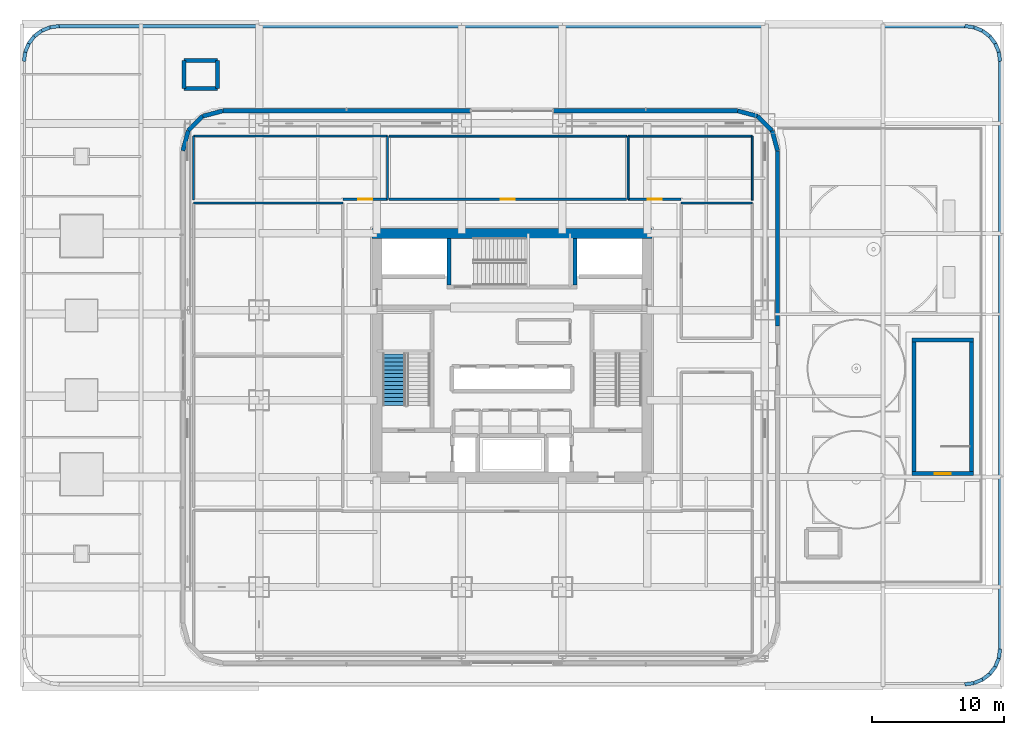
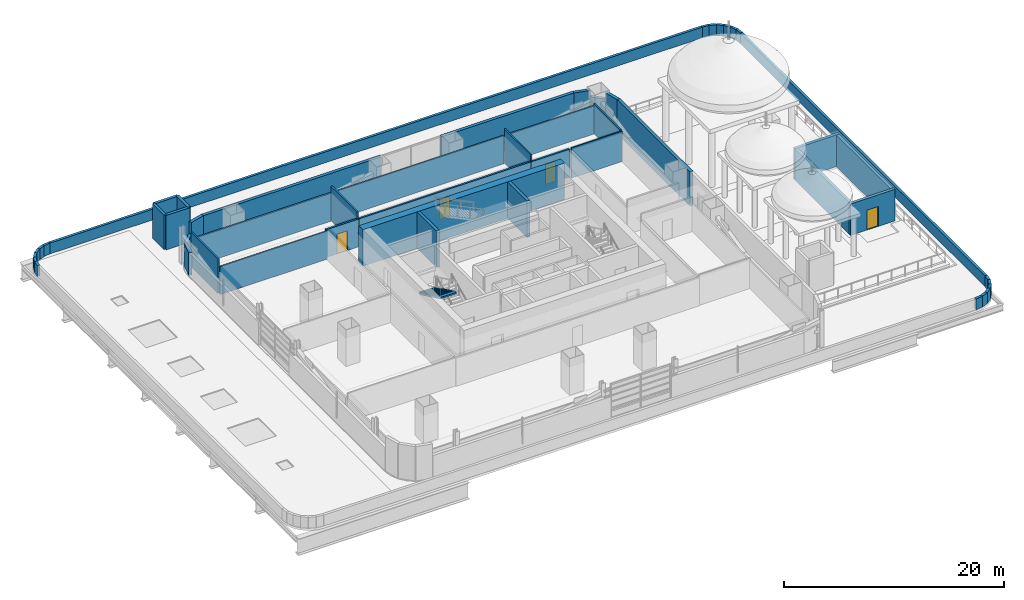
# One storey, part 16 of 30: 52 walls, 4 doors, 1 stair flight, 4 openings, 1 element without a shape of its own.
"""IFC4 building model written with IfcOpenShell, lengths in metres."""

from ifc_helpers import new_model, si_unit, direction, frame, frame_2d, origin, place, context, subcontext, project, spatial, polyline, rectangle, outline, extrude, material, layer, layer_set, type_object, element, fill, aggregate, save


model = new_model("IFC4")

# Units and contexts
model_context = context("Model", 3, precision=1e-05, world=origin(), true_north=direction((0.0, 1.0)))
body_context = subcontext(model_context, "Body", "Model", "MODEL_VIEW")
ifc_project = project(units=[si_unit("LENGTHUNIT", "METRE"), si_unit("AREAUNIT", "SQUARE_METRE"), si_unit("VOLUMEUNIT", "CUBIC_METRE"), si_unit("PLANEANGLEUNIT", "RADIAN"), si_unit("MASSUNIT", "GRAM", prefix="KILO")], contexts=[model_context])

# Site, building, storey
site_placement = place(None, origin())
site = spatial("IfcSite", under=ifc_project, at=site_placement, CompositionType="ELEMENT")
building_placement = place(site_placement, origin())
building = spatial("IfcBuilding", under=site, at=building_placement, Name="Punatoya Terracotta Tower", CompositionType="ELEMENT")
storey_placement = place(building_placement, frame((0.0, 0.0, 28.199951171875)))
storey = spatial("IfcBuildingStorey", under=building, at=storey_placement, Name="L05", CompositionType="ELEMENT", Elevation=28.199951171875)

# Wall
ifc_material_1 = material(Name="Concrete C60/75", Category="concrete")
ifc_layer_1 = layer(ifc_material_1, 0.75)
ifc_layer_set_1 = layer_set([ifc_layer_1], Name="Concrete C60/75")
wall_type_1 = type_object("IfcWallType", Name="WL-COR-750", PredefinedType="SHEAR", material=ifc_layer_set_1)
wall_1_placement = place(storey_placement, frame((-10.574951171875, 9.199951171875, 0.0), z_axis=(0.0, 0.0, 1.0), x_axis=(1.0, 0.0, 0.0)))
element("IfcWall", 1, at=wall_1_placement, inside=storey, type_object=wall_type_1, Name="L05 Core Shear Wall N", PredefinedType="SHEAR", context=body_context, shape_type="SweptSolid", body=[
    extrude(rectangle(XDim=21.14990234375, YDim=0.75, at=frame_2d((10.574951171875, 0.0))), origin(), (0.0, 0.0, 1.0), 4.050048828125),
])

# Wall, opening, door
ifc_material_2 = material(Name="Gypsum Fireboard + Steel Stud", Category="steel")
ifc_layer_2 = layer(ifc_material_2, 0.179931640625)
ifc_layer_set_2 = layer_set([ifc_layer_2], Name="Gypsum Fireboard + Steel Stud")
wall_type_2 = type_object("IfcWallType", Name="WL-CORR-180", PredefinedType="PARTITIONING", material=ifc_layer_set_2)
wall_2_placement = place(storey_placement, frame((-9.405029296875, 11.77001953125, 0.0), z_axis=(0.0, 0.0, 1.0), x_axis=(-1.0, 0.0, 0.0)))
wall_2 = element("IfcWall", 2, at=wall_2_placement, inside=storey, type_object=wall_type_2, Name="L05 Staff Tea Pantry Partition 35", PredefinedType="PARTITIONING", context=body_context, shape_type="SweptSolid", body=[
    extrude(rectangle(XDim=3.364990234375, YDim=0.179931640625, at=frame_2d((1.6826171875, 0.0))), origin(), (0.0, 0.0, 1.0), 3.10400390625),
])
opening_1_placement = place(wall_2_placement, frame((1.157470703125, 0.0, 0.0)))
opening_1 = element("IfcOpeningElement", 3, at=opening_1_placement, cuts=wall_2, Name="Opening OD-01", PredefinedType="OPENING", context=body_context, shape_type="SweptSolid", body=[
    extrude(rectangle(XDim=1.050048828125, YDim=2.199951171875, at=frame_2d((0.52490234375, 1.10009765625))), frame((0.0, 0.099853515625, 0.0), z_axis=(0.0, -1.0, 0.0), x_axis=(1.0, 0.0, 0.0)), (0.0, 0.0, 1.0), 0.199951171875),
])
ifc_material_3 = material(Name="Bengal Teak Solid-Core Leaf")
door_type_1 = type_object("IfcDoorType", Name="DR-OFF-1050", OperationType="NOTDEFINED", PredefinedType="DOOR", material=ifc_material_3)
door_1_placement = place(opening_1_placement, origin())
door_1 = element("IfcDoor", 4, at=door_1_placement, inside=storey, type_object=door_type_1, Name="L05 Staff Tea Pantry Door", OperationType="SINGLE_SWING_LEFT", OverallHeight=2.199951171875, OverallWidth=1.050048828125, PredefinedType="DOOR", context=body_context, shape_type="SweptSolid", body=[
    extrude(rectangle(XDim=1.050048828125, YDim=2.199951171875, at=frame_2d((0.52490234375, 1.10009765625))), frame((0.0, 0.02490234375, 0.0), z_axis=(0.0, -1.0, 0.0), x_axis=(1.0, 0.0, 0.0)), (0.0, 0.0, 1.0), 0.050048828125),
])
fill(opening_1, door_1)

wall_3_placement = place(storey_placement, frame((12.77001953125, 11.77001953125, 0.0), z_axis=(0.0, 0.0, 1.0), x_axis=(-1.0, 0.0, 0.0)))
wall_3 = element("IfcWall", 5, at=wall_3_placement, inside=storey, type_object=wall_type_2, Name="L05 Wellness Quiet Room Partition 38", PredefinedType="PARTITIONING", context=body_context, shape_type="SweptSolid", body=[
    extrude(rectangle(XDim=3.998046875, YDim=0.179931640625, at=frame_2d((1.9990234375, 0.0))), origin(), (0.0, 0.0, 1.0), 3.10400390625),
])
opening_2_placement = place(wall_3_placement, frame((1.47412109375, 0.0, 0.0)))
opening_2 = element("IfcOpeningElement", 6, at=opening_2_placement, cuts=wall_3, Name="Opening OD-01", PredefinedType="OPENING", context=body_context, shape_type="SweptSolid", body=[
    extrude(rectangle(XDim=1.050048828125, YDim=2.199951171875, at=frame_2d((0.52490234375, 1.10009765625))), frame((0.0, 0.099853515625, 0.0), z_axis=(0.0, -1.0, 0.0), x_axis=(1.0, 0.0, 0.0)), (0.0, 0.0, 1.0), 0.199951171875),
])
door_2_placement = place(opening_2_placement, origin())
door_2 = element("IfcDoor", 7, at=door_2_placement, inside=storey, type_object=door_type_1, Name="L05 Wellness Quiet Room Door", OperationType="SINGLE_SWING_RIGHT", OverallHeight=2.199951171875, OverallWidth=1.050048828125, PredefinedType="DOOR", context=body_context, shape_type="SweptSolid", body=[
    extrude(rectangle(XDim=1.050048828125, YDim=2.199951171875, at=frame_2d((0.52490234375, 1.10009765625))), frame((0.0, 0.02490234375, 0.0), z_axis=(0.0, -1.0, 0.0), x_axis=(1.0, 0.0, 0.0)), (0.0, 0.0, 1.0), 0.050048828125),
])
fill(opening_2, door_2)

wall_4_placement = place(storey_placement, frame((8.652099609375, 11.77001953125, 0.0), z_axis=(0.0, 0.0, 1.0), x_axis=(-1.0, 0.0, 0.0)))
wall_4 = element("IfcWall", 8, at=wall_4_placement, inside=storey, type_object=wall_type_2, Name="L05 Systems Engineering Office Partition 41", PredefinedType="PARTITIONING", context=body_context, shape_type="SweptSolid", body=[
    extrude(rectangle(XDim=17.93701171875, YDim=0.179931640625, at=frame_2d((8.968505859375, 0.0))), origin(), (0.0, 0.0, 1.0), 3.10400390625),
])
opening_3_placement = place(wall_4_placement, frame((8.443603515625, 0.0, 0.0)))
opening_3 = element("IfcOpeningElement", 9, at=opening_3_placement, cuts=wall_4, Name="Opening OD-01", PredefinedType="OPENING", context=body_context, shape_type="SweptSolid", body=[
    extrude(rectangle(XDim=1.050048828125, YDim=2.199951171875, at=frame_2d((0.52490234375, 1.10009765625))), frame((0.0, 0.099853515625, 0.0), z_axis=(0.0, -1.0, 0.0), x_axis=(1.0, 0.0, 0.0)), (0.0, 0.0, 1.0), 0.199951171875),
])
door_3_placement = place(opening_3_placement, origin())
door_3 = element("IfcDoor", 10, at=door_3_placement, inside=storey, type_object=door_type_1, Name="L05 Systems Engineering Office Door", OperationType="SINGLE_SWING_LEFT", OverallHeight=2.199951171875, OverallWidth=1.050048828125, PredefinedType="DOOR", context=body_context, shape_type="SweptSolid", body=[
    extrude(rectangle(XDim=1.050048828125, YDim=2.199951171875, at=frame_2d((0.52490234375, 1.10009765625))), frame((0.0, 0.02490234375, 0.0), z_axis=(0.0, -1.0, 0.0), x_axis=(1.0, 0.0, 0.0)), (0.0, 0.0, 1.0), 0.050048828125),
])
fill(opening_3, door_3)

# Walls
ifc_material_4 = material(Name="Precast concrete C40/50", Category="concrete")
ifc_layer_3 = layer(ifc_material_4, 0.320068359375)
ifc_layer_set_3 = layer_set([ifc_layer_3], Name="Precast concrete C40/50")
wall_type_3 = type_object("IfcWallType", Name="WL-EXT-320", PredefinedType="SOLIDWALL", material=ifc_layer_set_3)
wall_5_placement = place(storey_placement, frame((20.050048828125, 2.199951171875, 0.0), z_axis=(0.0, 0.0, 1.0), x_axis=(0.0, 1.0, 0.0)))
element("IfcWall", 11, at=wall_5_placement, inside=storey, type_object=wall_type_3, Name="L05 Terracotta Braced Facade Wall E", PredefinedType="SOLIDWALL", context=body_context, shape_type="SweptSolid", body=[
    extrude(rectangle(XDim=13.237060546875, YDim=0.320068359375, at=frame_2d((6.61865234375, 0.0))), origin(), (0.0, 0.0, 1.0), 3.81005859375),
])
wall_6_placement = place(storey_placement, frame((20.050048828125, 15.43701171875, 0.0), z_axis=(0.0, 0.0, 1.0), x_axis=(-0.257847112249, 0.966185730957, 0.0)))
element("IfcWall", 12, at=wall_6_placement, inside=storey, type_object=wall_type_3, Name="L05 Rounded Terracotta Corner Pier 06", PredefinedType="SOLIDWALL", context=body_context, shape_type="SweptSolid", body=[
    extrude(rectangle(XDim=1.565185546875, YDim=0.320068359375, at=frame_2d((0.78271484375, 0.0))), origin(), (0.0, 0.0, 1.0), 3.81005859375),
])
wall_7_placement = place(storey_placement, frame((19.646484375, 16.94921875, 0.0), z_axis=(0.0, 0.0, 1.0), x_axis=(-0.707106781187, 0.707106781187, 0.0)))
element("IfcWall", 13, at=wall_7_placement, inside=storey, type_object=wall_type_3, Name="L05 Rounded Terracotta Corner Pier 07", PredefinedType="SOLIDWALL", context=body_context, shape_type="SweptSolid", body=[
    extrude(rectangle(XDim=1.552001953125, YDim=0.320068359375, at=frame_2d((0.77587890625, 0.0))), origin(), (0.0, 0.0, 1.0), 3.10400390625),
])
wall_8_placement = place(storey_placement, frame((18.549072265625, 18.046630859375, 0.0), z_axis=(0.0, 0.0, 1.0), x_axis=(-0.966224582397, 0.257701486942, 0.0)))
element("IfcWall", 14, at=wall_8_placement, inside=storey, type_object=wall_type_3, Name="L05 Rounded Terracotta Corner Pier 08", PredefinedType="SOLIDWALL", context=body_context, shape_type="SweptSolid", body=[
    extrude(rectangle(XDim=1.565185546875, YDim=0.320068359375, at=frame_2d((0.78271484375, 0.0))), origin(), (0.0, 0.0, 1.0), 3.81005859375),
])
wall_9_placement = place(storey_placement, frame((17.036865234375, 18.449951171875, 0.0), z_axis=(0.0, 0.0, 1.0), x_axis=(-1.0, 0.0, 0.0)))
element("IfcWall", 15, at=wall_9_placement, inside=storey, type_object=wall_type_3, Name="L05 Terracotta Braced Facade Wall N1", PredefinedType="SOLIDWALL", context=body_context, shape_type="SweptSolid", body=[
    extrude(rectangle(XDim=13.886962890625, YDim=0.320068359375, at=frame_2d((6.943359375, 0.0))), origin(), (0.0, 0.0, 1.0), 3.81005859375),
])
wall_10_placement = place(storey_placement, frame((-3.14990234375, 18.449951171875, 0.0), z_axis=(0.0, 0.0, 1.0), x_axis=(-1.0, 0.0, 0.0)))
element("IfcWall", 16, at=wall_10_placement, inside=storey, type_object=wall_type_3, Name="L05 Terracotta Braced Facade Wall N2", PredefinedType="SOLIDWALL", context=body_context, shape_type="SweptSolid", body=[
    extrude(rectangle(XDim=18.68701171875, YDim=0.320068359375, at=frame_2d((9.343505859375, 0.0))), origin(), (0.0, 0.0, 1.0), 3.81005859375),
])
wall_11_placement = place(storey_placement, frame((-21.8369140625, 18.449951171875, 0.0), z_axis=(0.0, 0.0, 1.0), x_axis=(-0.966224582397, -0.257701486942, 0.0)))
element("IfcWall", 17, at=wall_11_placement, inside=storey, type_object=wall_type_3, Name="L05 Rounded Terracotta Corner Pier 10", PredefinedType="SOLIDWALL", context=body_context, shape_type="SweptSolid", body=[
    extrude(rectangle(XDim=1.565185546875, YDim=0.320068359375, at=frame_2d((0.78271484375, 0.0))), origin(), (0.0, 0.0, 1.0), 3.81005859375),
])
wall_12_placement = place(storey_placement, frame((-23.34912109375, 18.046630859375, 0.0), z_axis=(0.0, 0.0, 1.0), x_axis=(-0.707106781187, -0.707106781187, 0.0)))
element("IfcWall", 18, at=wall_12_placement, inside=storey, type_object=wall_type_3, Name="L05 Rounded Terracotta Corner Pier 11", PredefinedType="SOLIDWALL", context=body_context, shape_type="SweptSolid", body=[
    extrude(rectangle(XDim=1.552001953125, YDim=0.320068359375, at=frame_2d((0.77587890625, 0.0))), origin(), (0.0, 0.0, 1.0), 2.484130859375),
])
wall_13_placement = place(storey_placement, frame((-24.446533203125, 16.94921875, 0.0), z_axis=(0.0, 0.0, 1.0), x_axis=(-0.257847112249, -0.966185730957, 0.0)))
element("IfcWall", 19, at=wall_13_placement, inside=storey, type_object=wall_type_3, Name="L05 Rounded Terracotta Corner Pier 12", PredefinedType="SOLIDWALL", context=body_context, shape_type="SweptSolid", body=[
    extrude(rectangle(XDim=1.565185546875, YDim=0.320068359375, at=frame_2d((0.78271484375, 0.0))), origin(), (0.0, 0.0, 1.0), 2.524169921875),
])
ifc_material_5 = material(Name="Acoustic Gypsum + Steel Stud", Category="steel")
ifc_layer_4 = layer(ifc_material_5, 0.139892578125)
ifc_layer_set_4 = layer_set([ifc_layer_4], Name="Acoustic Gypsum + Steel Stud")
wall_type_4 = type_object("IfcWallType", Name="WL-OFF-140", PredefinedType="PARTITIONING", material=ifc_layer_set_4)
wall_14_placement = place(storey_placement, frame((-24.0400390625, 11.489990234375, 0.0), z_axis=(0.0, 0.0, 1.0), x_axis=(1.0, 0.0, 0.0)))
element("IfcWall", 20, at=wall_14_placement, inside=storey, type_object=wall_type_4, Name="L05 Open-Plan Client Strategy Boardroom Partition 26", PredefinedType="PARTITIONING", context=body_context, shape_type="SweptSolid", body=[
    extrude(rectangle(XDim=11.27001953125, YDim=0.139892578125, at=frame_2d((5.635009765625, 0.0))), origin(), (0.0, 0.0, 1.0), 3.10400390625),
])
wall_15_placement = place(storey_placement, frame((12.77001953125, 11.489990234375, 0.0), z_axis=(0.0, 0.0, 1.0), x_axis=(1.0, 0.0, 0.0)))
element("IfcWall", 21, at=wall_15_placement, inside=storey, type_object=wall_type_4, Name="L05 Digital Reference Library Partition 30", PredefinedType="PARTITIONING", context=body_context, shape_type="SweptSolid", body=[
    extrude(rectangle(XDim=5.369873046875, YDim=0.139892578125, at=frame_2d((2.68505859375, 0.0))), origin(), (0.0, 0.0, 1.0), 3.35400390625),
])
wall_16_placement = place(storey_placement, frame((18.139892578125, 16.5400390625, 0.0), z_axis=(0.0, 0.0, 1.0), x_axis=(0.0, -1.0, 0.0)))
element("IfcWall", 22, at=wall_16_placement, inside=storey, type_object=wall_type_4, Name="L05 Wellness Quiet Room Partition 37", PredefinedType="PARTITIONING", context=body_context, shape_type="SweptSolid", body=[
    extrude(rectangle(XDim=4.830078125, YDim=0.139892578125, at=frame_2d((2.4150390625, 0.0))), origin(), (0.0, 0.0, 1.0), 3.35400390625),
])
wall_17_placement = place(storey_placement, frame((8.77197265625, 11.77001953125, 0.0), z_axis=(0.0, 0.0, 1.0), x_axis=(0.0, 1.0, 0.0)))
element("IfcWall", 23, at=wall_17_placement, inside=storey, type_object=wall_type_4, Name="L05 Wellness Quiet Room Partition 39", PredefinedType="PARTITIONING", context=body_context, shape_type="SweptSolid", body=[
    extrude(rectangle(XDim=4.77001953125, YDim=0.139892578125, at=frame_2d((2.385009765625, 0.0))), origin(), (0.0, 0.0, 1.0), 3.81005859375),
])
wall_18_placement = place(storey_placement, frame((8.77197265625, 16.5400390625, 0.0), z_axis=(0.0, 0.0, 1.0), x_axis=(1.0, 0.0, 0.0)))
element("IfcWall", 24, at=wall_18_placement, inside=storey, type_object=wall_type_4, Name="L05 Wellness Quiet Room Partition 40", PredefinedType="PARTITIONING", context=body_context, shape_type="SweptSolid", body=[
    extrude(rectangle(XDim=9.367919921875, YDim=0.139892578125, at=frame_2d((4.68408203125, 0.0))), origin(), (0.0, 0.0, 1.0), 3.10400390625),
])
wall_19_placement = place(storey_placement, frame((-9.284912109375, 16.5400390625, 0.0), z_axis=(0.0, 0.0, 1.0), x_axis=(1.0, 0.0, 0.0)))
element("IfcWall", 25, at=wall_19_placement, inside=storey, type_object=wall_type_4, Name="L05 Systems Engineering Office Partition 42", PredefinedType="PARTITIONING", context=body_context, shape_type="SweptSolid", body=[
    extrude(rectangle(XDim=17.93701171875, YDim=0.139892578125, at=frame_2d((8.968505859375, 0.0))), origin(), (0.0, 0.0, 1.0), 3.10400390625),
])
ifc_layer_5 = layer(ifc_material_4, 0.260009765625)
ifc_layer_set_5 = layer_set([ifc_layer_5], Name="Precast concrete C40/50")
wall_type_5 = type_object("IfcWallType", Name="WL-PAR-260", PredefinedType="PARAPET", material=ifc_layer_set_5)
wall_20_placement = place(storey_placement, frame((34.190185546875, -24.85009765625, 0.0), z_axis=(0.0, 0.0, 1.0), x_axis=(0.991442442616, 0.130544563196, 0.0)))
element("IfcWall", 26, at=wall_20_placement, inside=storey, type_object=wall_type_5, Name="L05 Podium Maintenance Roof Parapet 03", PredefinedType="PARAPET", context=body_context, shape_type="SweptSolid", body=[
    extrude(rectangle(XDim=0.701416015625, YDim=0.260009765625, at=frame_2d((0.3505859375, 0.0))), origin(), (0.0, 0.0, 1.0), 1.199951171875),
])
wall_21_placement = place(storey_placement, frame((34.885498046875, -24.758544921875, 0.0), z_axis=(0.0, 0.0, 1.0), x_axis=(0.923879144677, 0.382684368678, 0.0)))
element("IfcWall", 27, at=wall_21_placement, inside=storey, type_object=wall_type_5, Name="L05 Podium Maintenance Roof Parapet 04", PredefinedType="PARAPET", context=body_context, shape_type="SweptSolid", body=[
    extrude(rectangle(XDim=0.691650390625, YDim=0.260009765625, at=frame_2d((0.345703125, 0.0))), origin(), (0.0, 0.0, 1.0), 1.199951171875),
])
for number, where, z_axis, x_axis, name in (
    (28, (35.5244140625, -24.493896484375, 0.0), (0.0, 0.0, 1.0), (0.793384672309, 0.608720594152, 0.0), "L05 Podium Maintenance Roof Parapet 05"),
    (29, (36.072998046875, -24.072998046875, 0.0), (0.0, 0.0, 1.0), (0.608720594152, 0.793384672309, 0.0), "L05 Podium Maintenance Roof Parapet 06"),
):
    element("IfcWall", number, at=place(storey_placement, frame(where, z_axis=z_axis, x_axis=x_axis)), inside=storey, type_object=wall_type_5, Name=name, PredefinedType="PARAPET", context=body_context, shape_type="SweptSolid", body=[
        extrude(rectangle(XDim=0.69140625, YDim=0.260009765625, at=frame_2d((0.345703125, 0.0))), origin(), (0.0, 0.0, 1.0), 1.199951171875),
    ])
wall_22_placement = place(storey_placement, frame((36.493896484375, -23.5244140625, 0.0), z_axis=(0.0, 0.0, 1.0), x_axis=(0.382684368678, 0.923879144677, 0.0)))
element("IfcWall", 30, at=wall_22_placement, inside=storey, type_object=wall_type_5, Name="L05 Podium Maintenance Roof Parapet 07", PredefinedType="PARAPET", context=body_context, shape_type="SweptSolid", body=[
    extrude(rectangle(XDim=0.691650390625, YDim=0.260009765625, at=frame_2d((0.345703125, 0.0))), origin(), (0.0, 0.0, 1.0), 1.199951171875),
])
wall_23_placement = place(storey_placement, frame((36.758544921875, -22.885498046875, 0.0), z_axis=(0.0, 0.0, 1.0), x_axis=(0.130544563196, 0.991442442616, 0.0)))
element("IfcWall", 31, at=wall_23_placement, inside=storey, type_object=wall_type_5, Name="L05 Podium Maintenance Roof Parapet 08", PredefinedType="PARAPET", context=body_context, shape_type="SweptSolid", body=[
    extrude(rectangle(XDim=0.701416015625, YDim=0.260009765625, at=frame_2d((0.3505859375, 0.0))), origin(), (0.0, 0.0, 1.0), 1.199951171875),
])
wall_24_placement = place(storey_placement, frame((36.85009765625, -22.190185546875, 0.0), z_axis=(0.0, 0.0, 1.0), x_axis=(0.0, 1.0, 0.0)))
element("IfcWall", 32, at=wall_24_placement, inside=storey, type_object=wall_type_5, Name="L05 Podium Maintenance Roof Parapet 09", PredefinedType="PARAPET", context=body_context, shape_type="SweptSolid", body=[
    extrude(rectangle(XDim=44.38037109375, YDim=0.260009765625, at=frame_2d((22.190185546875, 0.0))), origin(), (0.0, 0.0, 1.0), 1.199951171875),
])
wall_25_placement = place(storey_placement, frame((36.85009765625, 22.190185546875, 0.0), z_axis=(0.0, 0.0, 1.0), x_axis=(-0.130544563196, 0.991442442616, 0.0)))
element("IfcWall", 33, at=wall_25_placement, inside=storey, type_object=wall_type_5, Name="L05 Podium Maintenance Roof Parapet 10", PredefinedType="PARAPET", context=body_context, shape_type="SweptSolid", body=[
    extrude(rectangle(XDim=0.701416015625, YDim=0.260009765625, at=frame_2d((0.3505859375, 0.0))), origin(), (0.0, 0.0, 1.0), 1.199951171875),
])
wall_26_placement = place(storey_placement, frame((36.758544921875, 22.885498046875, 0.0), z_axis=(0.0, 0.0, 1.0), x_axis=(-0.382684368678, 0.923879144677, 0.0)))
element("IfcWall", 34, at=wall_26_placement, inside=storey, type_object=wall_type_5, Name="L05 Podium Maintenance Roof Parapet 11", PredefinedType="PARAPET", context=body_context, shape_type="SweptSolid", body=[
    extrude(rectangle(XDim=0.691650390625, YDim=0.260009765625, at=frame_2d((0.345703125, 0.0))), origin(), (0.0, 0.0, 1.0), 1.199951171875),
])
for number, where, z_axis, x_axis, name in (
    (35, (36.493896484375, 23.5244140625, 0.0), (0.0, 0.0, 1.0), (-0.608720594152, 0.793384672309, 0.0), "L05 Podium Maintenance Roof Parapet 12"),
    (36, (36.072998046875, 24.072998046875, 0.0), (0.0, 0.0, 1.0), (-0.793384672309, 0.608720594152, 0.0), "L05 Podium Maintenance Roof Parapet 13"),
):
    element("IfcWall", number, at=place(storey_placement, frame(where, z_axis=z_axis, x_axis=x_axis)), inside=storey, type_object=wall_type_5, Name=name, PredefinedType="PARAPET", context=body_context, shape_type="SweptSolid", body=[
        extrude(rectangle(XDim=0.69140625, YDim=0.260009765625, at=frame_2d((0.345703125, 0.0))), origin(), (0.0, 0.0, 1.0), 1.199951171875),
    ])
wall_27_placement = place(storey_placement, frame((35.5244140625, 24.493896484375, 0.0), z_axis=(0.0, 0.0, 1.0), x_axis=(-0.923879144677, 0.382684368678, 0.0)))
element("IfcWall", 37, at=wall_27_placement, inside=storey, type_object=wall_type_5, Name="L05 Podium Maintenance Roof Parapet 14", PredefinedType="PARAPET", context=body_context, shape_type="SweptSolid", body=[
    extrude(rectangle(XDim=0.691650390625, YDim=0.260009765625, at=frame_2d((0.345703125, 0.0))), origin(), (0.0, 0.0, 1.0), 1.199951171875),
])
wall_28_placement = place(storey_placement, frame((34.885498046875, 24.758544921875, 0.0), z_axis=(0.0, 0.0, 1.0), x_axis=(-0.991442442616, 0.130544563196, 0.0)))
element("IfcWall", 38, at=wall_28_placement, inside=storey, type_object=wall_type_5, Name="L05 Podium Maintenance Roof Parapet 15", PredefinedType="PARAPET", context=body_context, shape_type="SweptSolid", body=[
    extrude(rectangle(XDim=0.701416015625, YDim=0.260009765625, at=frame_2d((0.3505859375, 0.0))), origin(), (0.0, 0.0, 1.0), 1.199951171875),
])
wall_29_placement = place(storey_placement, frame((34.190185546875, 24.85009765625, 0.0), z_axis=(0.0, 0.0, 1.0), x_axis=(-1.0, 0.0, 0.0)))
element("IfcWall", 39, at=wall_29_placement, inside=storey, type_object=wall_type_5, Name="L05 Podium Maintenance Roof Parapet 16", PredefinedType="PARAPET", context=body_context, shape_type="SweptSolid", body=[
    extrude(rectangle(XDim=68.38037109375, YDim=0.260009765625, at=frame_2d((34.190185546875, 0.0))), origin(), (0.0, 0.0, 1.0), 1.199951171875),
])
wall_30_placement = place(storey_placement, frame((-34.190185546875, 24.85009765625, 0.0), z_axis=(0.0, 0.0, 1.0), x_axis=(-0.991442442616, -0.130544563196, 0.0)))
element("IfcWall", 40, at=wall_30_placement, inside=storey, type_object=wall_type_5, Name="L05 Podium Maintenance Roof Parapet 17", PredefinedType="PARAPET", context=body_context, shape_type="SweptSolid", body=[
    extrude(rectangle(XDim=0.701416015625, YDim=0.260009765625, at=frame_2d((0.3505859375, 0.0))), origin(), (0.0, 0.0, 1.0), 1.199951171875),
])
wall_31_placement = place(storey_placement, frame((-34.885498046875, 24.758544921875, 0.0), z_axis=(0.0, 0.0, 1.0), x_axis=(-0.923879144677, -0.382684368678, 0.0)))
element("IfcWall", 41, at=wall_31_placement, inside=storey, type_object=wall_type_5, Name="L05 Podium Maintenance Roof Parapet 18", PredefinedType="PARAPET", context=body_context, shape_type="SweptSolid", body=[
    extrude(rectangle(XDim=0.691650390625, YDim=0.260009765625, at=frame_2d((0.345703125, 0.0))), origin(), (0.0, 0.0, 1.0), 1.199951171875),
])
for number, where, z_axis, x_axis, name in (
    (42, (-35.5244140625, 24.493896484375, 0.0), (0.0, 0.0, 1.0), (-0.793384672309, -0.608720594152, 0.0), "L05 Podium Maintenance Roof Parapet 19"),
    (43, (-36.072998046875, 24.072998046875, 0.0), (0.0, 0.0, 1.0), (-0.608720594152, -0.793384672309, 0.0), "L05 Podium Maintenance Roof Parapet 20"),
):
    element("IfcWall", number, at=place(storey_placement, frame(where, z_axis=z_axis, x_axis=x_axis)), inside=storey, type_object=wall_type_5, Name=name, PredefinedType="PARAPET", context=body_context, shape_type="SweptSolid", body=[
        extrude(rectangle(XDim=0.69140625, YDim=0.260009765625, at=frame_2d((0.345703125, 0.0))), origin(), (0.0, 0.0, 1.0), 1.199951171875),
    ])
wall_32_placement = place(storey_placement, frame((-36.493896484375, 23.5244140625, 0.0), z_axis=(0.0, 0.0, 1.0), x_axis=(-0.382684368678, -0.923879144677, 0.0)))
element("IfcWall", 44, at=wall_32_placement, inside=storey, type_object=wall_type_5, Name="L05 Podium Maintenance Roof Parapet 21", PredefinedType="PARAPET", context=body_context, shape_type="SweptSolid", body=[
    extrude(rectangle(XDim=0.691650390625, YDim=0.260009765625, at=frame_2d((0.345703125, 0.0))), origin(), (0.0, 0.0, 1.0), 1.199951171875),
])
wall_33_placement = place(storey_placement, frame((-36.758544921875, 22.885498046875, 0.0), z_axis=(0.0, 0.0, 1.0), x_axis=(-0.130544563196, -0.991442442616, 0.0)))
element("IfcWall", 45, at=wall_33_placement, inside=storey, type_object=wall_type_5, Name="L05 Podium Maintenance Roof Parapet 22", PredefinedType="PARAPET", context=body_context, shape_type="SweptSolid", body=[
    extrude(rectangle(XDim=0.701416015625, YDim=0.260009765625, at=frame_2d((0.3505859375, 0.0))), origin(), (0.0, 0.0, 1.0), 1.199951171875),
])
ifc_material_6 = material(Name="Concrete C40/50", Category="concrete")
ifc_layer_6 = layer(ifc_material_6, 0.300048828125)
ifc_layer_set_6 = layer_set([ifc_layer_6], Name="Concrete C40/50")
wall_type_6 = type_object("IfcWallType", Name="WL-SHF-300", PredefinedType="SOLIDWALL", material=ifc_layer_set_6)
for number, where, z_axis, x_axis, name in (
    (46, (-4.75, 5.300048828125, 0.0), (0.0, 0.0, 1.0), (0.0, 1.0, 0.0), "L05 Structural Stair Shaft Wall SW-ST3-W"),
    (47, (4.75, 8.824951171875, 0.0), (0.0, 0.0, 1.0), (0.0, -1.0, 0.0), "L05 Structural Stair Shaft Wall SW-ST3-E"),
):
    element("IfcWall", number, at=place(storey_placement, frame(where, z_axis=z_axis, x_axis=x_axis)), inside=storey, type_object=wall_type_6, Name=name, PredefinedType="SOLIDWALL", context=body_context, shape_type="SweptSolid", body=[
        extrude(rectangle(XDim=3.52490234375, YDim=0.300048828125, at=frame_2d((1.762451171875, 0.0))), origin(), (0.0, 0.0, 1.0), 4.050048828125),
    ])

# Wall, opening, door
wall_34_placement = place(storey_placement, frame((30.199951171875, -8.949951171875, 0.0), z_axis=(0.0, 0.0, 1.0), x_axis=(1.0, 0.0, 0.0)))
wall_34 = element("IfcWall", 48, at=wall_34_placement, inside=storey, type_object=wall_type_6, Name="L05 ST-P2 South Structural Shaft Wall", PredefinedType="SOLIDWALL", context=body_context, shape_type="SweptSolid", body=[
    extrude(rectangle(XDim=4.650146484375, YDim=0.300048828125, at=frame_2d((2.3251953125, 0.0))), origin(), (0.0, 0.0, 1.0), 3.5),
])
opening_4_placement = place(wall_34_placement, frame((1.735107421875, 0.0, 0.0)))
opening_4 = element("IfcOpeningElement", 49, at=opening_4_placement, cuts=wall_34, Name="Opening SD-01", PredefinedType="OPENING", context=body_context, shape_type="SweptSolid", body=[
    extrude(rectangle(XDim=1.179931640625, YDim=2.199951171875, at=frame_2d((0.58984375, 1.10009765625))), frame((0.0, 0.159912109375, 0.0), z_axis=(0.0, -1.0, 0.0), x_axis=(1.0, 0.0, 0.0)), (0.0, 0.0, 1.0), 0.320068359375),
])
ifc_material_7 = material(Name="Galvanised Steel Pressurized Stair Fire Door", Category="steel")
door_type_2 = type_object("IfcDoorType", Name="DR-STR-1180", OperationType="NOTDEFINED", PredefinedType="DOOR", material=ifc_material_7)
door_4_placement = place(opening_4_placement, origin())
door_4 = element("IfcDoor", 50, at=door_4_placement, inside=storey, type_object=door_type_2, Name="L05 Podium Stair ST-P2 Fire Door", OperationType="SINGLE_SWING_RIGHT", OverallHeight=2.199951171875, OverallWidth=1.179931640625, PredefinedType="DOOR", context=body_context, shape_type="SweptSolid", body=[
    extrude(rectangle(XDim=1.179931640625, YDim=2.199951171875, at=frame_2d((0.58984375, 1.10009765625))), frame((0.0, 0.02490234375, 0.0), z_axis=(0.0, -1.0, 0.0), x_axis=(1.0, 0.0, 0.0)), (0.0, 0.0, 1.0), 0.050048828125),
])
fill(opening_4, door_4)

# Walls
wall_35_placement = place(storey_placement, frame((34.85009765625, 1.14990234375, 0.0), z_axis=(0.0, 0.0, 1.0), x_axis=(-1.0, 0.0, 0.0)))
element("IfcWall", 51, at=wall_35_placement, inside=storey, type_object=wall_type_6, Name="L05 ST-P2 North Structural Shaft Wall", PredefinedType="SOLIDWALL", context=body_context, shape_type="SweptSolid", body=[
    extrude(rectangle(XDim=4.650146484375, YDim=0.300048828125, at=frame_2d((2.3251953125, 0.0))), origin(), (0.0, 0.0, 1.0), 3.5),
])
for number, where, z_axis, x_axis, name in (
    (52, (30.35009765625, -8.800048828125, 0.0), (0.0, 0.0, 1.0), (0.0, 1.0, 0.0), "L05 ST-P2 West Structural Shaft Wall"),
    (53, (34.699951171875, 1.0, 0.0), (0.0, 0.0, 1.0), (0.0, -1.0, 0.0), "L05 ST-P2 East Structural Shaft Wall"),
):
    element("IfcWall", number, at=place(storey_placement, frame(where, z_axis=z_axis, x_axis=x_axis)), inside=storey, type_object=wall_type_6, Name=name, PredefinedType="SOLIDWALL", context=body_context, shape_type="SweptSolid", body=[
        extrude(rectangle(XDim=9.800048828125, YDim=0.300048828125, at=frame_2d((4.89990234375, 0.0))), origin(), (0.0, 0.0, 1.0), 3.5),
    ])
for number, where, z_axis, x_axis, name in (
    (54, (-24.75, 20.14990234375, 0.0), (0.0, 0.0, 1.0), (1.0, 0.0, 0.0), "L05 Podium Lift PL-P1 Front Wall"),
    (55, (-24.75, 22.25, 0.0), (0.0, 0.0, 1.0), (1.0, 0.0, 0.0), "L05 Podium Lift PL-P1 Rear Wall"),
):
    element("IfcWall", number, at=place(storey_placement, frame(where, z_axis=z_axis, x_axis=x_axis)), inside=storey, type_object=wall_type_6, Name=name, PredefinedType="SOLIDWALL", context=body_context, shape_type="SweptSolid", body=[
        extrude(rectangle(XDim=2.5, YDim=0.300048828125, at=frame_2d((1.25, 0.0))), origin(), (0.0, 0.0, 1.0), 3.81005859375),
    ])
for number, where, z_axis, x_axis, name in (
    (56, (-24.75, 20.14990234375, 0.0), (0.0, 0.0, 1.0), (0.0, 1.0, 0.0), "L05 Podium Lift PL-P1 West Wall"),
    (57, (-22.25, 20.14990234375, 0.0), (0.0, 0.0, 1.0), (0.0, 1.0, 0.0), "L05 Podium Lift PL-P1 East Wall"),
):
    element("IfcWall", number, at=place(storey_placement, frame(where, z_axis=z_axis, x_axis=x_axis)), inside=storey, type_object=wall_type_6, Name=name, PredefinedType="SOLIDWALL", context=body_context, shape_type="SweptSolid", body=[
        extrude(rectangle(XDim=2.10009765625, YDim=0.300048828125, at=frame_2d((1.050048828125, 0.0))), origin(), (0.0, 0.0, 1.0), 3.81005859375),
    ])
ifc_material_8 = material(Name="Masonry Blockwork + Ceramic Tile", Category="masonry")
ifc_layer_7 = layer(ifc_material_8, 0.159912109375)
ifc_layer_set_7 = layer_set([ifc_layer_7], Name="Masonry Blockwork + Ceramic Tile")
wall_type_7 = type_object("IfcWallType", Name="WL-WET-160", PredefinedType="PARTITIONING", material=ifc_layer_set_7)
wall_36_placement = place(storey_placement, frame((-24.0400390625, 16.5400390625, 0.0), z_axis=(0.0, 0.0, 1.0), x_axis=(1.0, 0.0, 0.0)))
element("IfcWall", 58, at=wall_36_placement, inside=storey, type_object=wall_type_7, Name="L05 Staff Tea Pantry Partition 33", PredefinedType="PARTITIONING", context=body_context, shape_type="SweptSolid", body=[
    extrude(rectangle(XDim=14.635009765625, YDim=0.159912109375, at=frame_2d((7.3173828125, 0.0))), origin(), (0.0, 0.0, 1.0), 3.10400390625),
])
wall_37_placement = place(storey_placement, frame((-9.405029296875, 16.5400390625, 0.0), z_axis=(0.0, 0.0, 1.0), x_axis=(0.0, -1.0, 0.0)))
element("IfcWall", 59, at=wall_37_placement, inside=storey, type_object=wall_type_7, Name="L05 Staff Tea Pantry Partition 34", PredefinedType="PARTITIONING", context=body_context, shape_type="SweptSolid", body=[
    extrude(rectangle(XDim=4.77001953125, YDim=0.159912109375, at=frame_2d((2.385009765625, 0.0))), origin(), (0.0, 0.0, 1.0), 3.81005859375),
])
wall_38_placement = place(storey_placement, frame((-24.0400390625, 11.7099609375, 0.0), z_axis=(0.0, 0.0, 1.0), x_axis=(0.0, 1.0, 0.0)))
element("IfcWall", 60, at=wall_38_placement, inside=storey, type_object=wall_type_7, Name="L05 Staff Tea Pantry Partition 36", PredefinedType="PARTITIONING", context=body_context, shape_type="SweptSolid", body=[
    extrude(rectangle(XDim=4.830078125, YDim=0.159912109375, at=frame_2d((2.4150390625, 0.0))), origin(), (0.0, 0.0, 1.0), 3.81005859375),
])

# Stair, stair flight
stair_type = type_object("IfcStairType", Name="STR-CORE-1550", PredefinedType="HALF_TURN_STAIR", material=ifc_material_6)
stair_placement = place(storey_placement, origin())
stair = element("IfcStair", 61, at=stair_placement, inside=storey, type_object=stair_type, Name="L05 Protected Core Exit Stair ST-1", PredefinedType="HALF_TURN_STAIR")
stair_flight_type = type_object("IfcStairFlightType", Name="SFL-CORE-1550", PredefinedType="STRAIGHT", material=ifc_material_6)
stair_flight_placement = place(storey_placement, frame((-8.89990234375, 0.10009765625, 2.025146484375), z_axis=(0.0, 0.0, 1.0), x_axis=(0.0, -1.0, 0.0)))
stair_flight = element("IfcStairFlight", 62, at=stair_flight_placement, type_object=stair_flight_type, Name="ST-1 flight 2", NumberOfRisers=14, NumberOfTreads=13, PredefinedType="STRAIGHT", RiserHeight=0.144642857, TreadLength=0.3, context=body_context, shape_type="SweptSolid", body=[
    extrude(outline(polyline([(0.0, 0.0), (0.0, 0.14453125), (0.300048828125, 0.14453125), (0.300048828125, 0.289306640625), (0.60009765625, 0.289306640625), (0.60009765625, 0.433837890625), (0.89990234375, 0.433837890625), (0.89990234375, 0.57861328125), (1.199951171875, 0.57861328125), (1.199951171875, 0.72314453125), (1.5, 0.72314453125), (1.5, 0.867919921875), (1.800048828125, 0.867919921875), (1.800048828125, 1.012451171875), (2.10009765625, 1.012451171875), (2.10009765625, 1.1572265625), (2.39990234375, 1.1572265625), (2.39990234375, 1.3017578125), (2.699951171875, 1.3017578125), (2.699951171875, 1.446533203125), (3.0, 1.446533203125), (3.0, 1.591064453125), (3.300048828125, 1.591064453125), (3.300048828125, 1.735595703125), (3.60009765625, 1.735595703125), (3.60009765625, 1.88037109375), (3.89990234375, 1.88037109375), (3.89990234375, 2.02490234375), (3.89990234375, 1.7138671875), (0.34521484375, 0.0), (0.0, 0.0)])), frame((0.0, 0.85009765625, 0.0), z_axis=(0.0, -1.0, 0.0), x_axis=(1.0, 0.0, 0.0)), (0.0, 0.0, 1.0), 1.699951171875),
])
aggregate(stair, [stair_flight])

save(model, "model.ifc")
